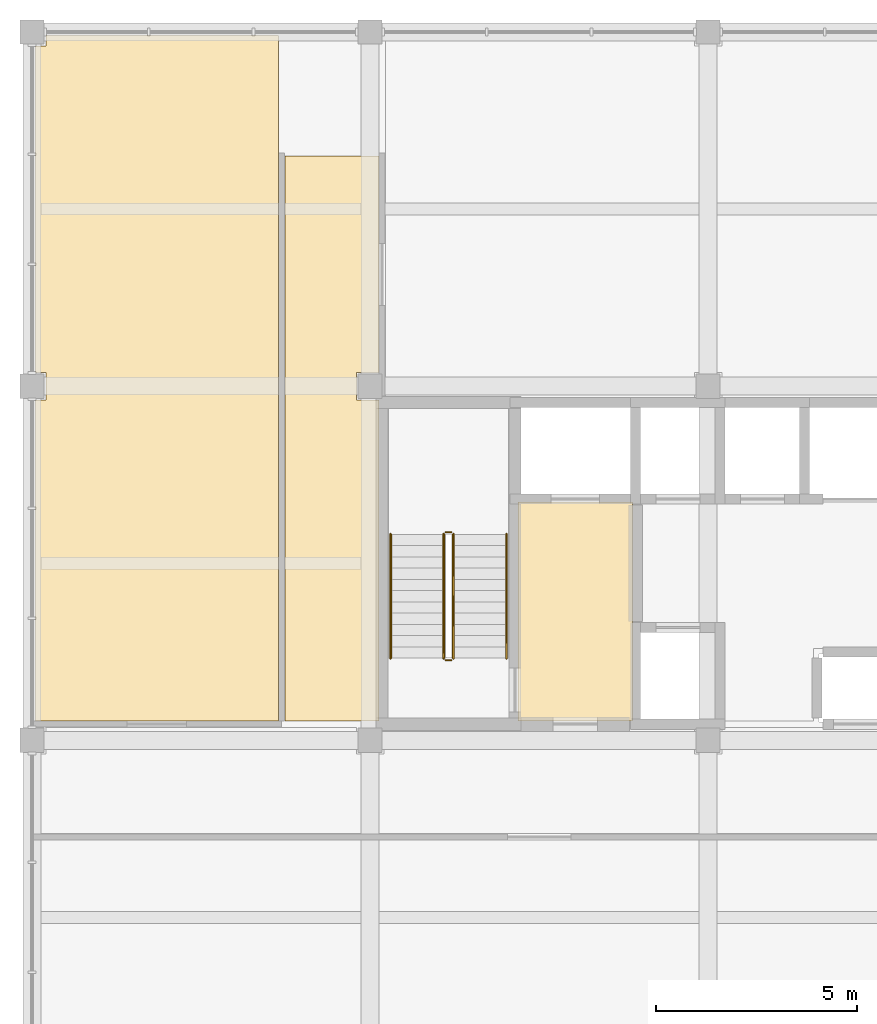
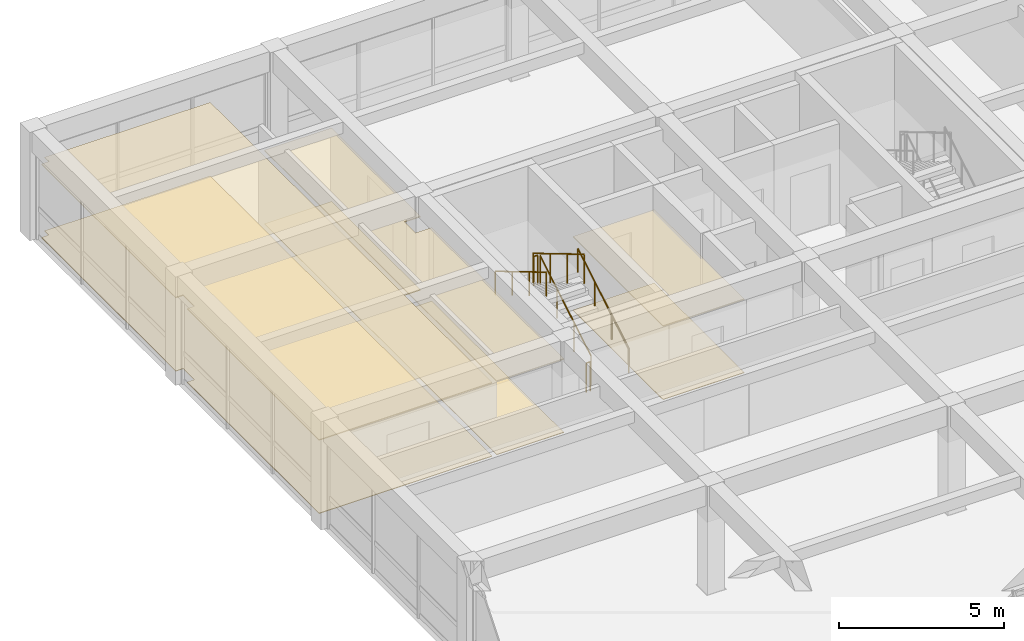
# One storey, part 12 of 14: 6 coverings, 6 railings.
"""IFC4 building model written with IfcOpenShell, lengths in metres."""

from ifc_helpers import new_model, si_unit, direction, frame, origin, origin_2d, place, context, subcontext, project, spatial, polyline, circle, outline, extrude, material, layer, layer_set, type_object, element, save


model = new_model("IFC4")

# Units and contexts
model_context = context("Model", 3, precision=1e-05, world=origin(), true_north=direction((0.0, 1.0)))
body_context = subcontext(model_context, "Body", "Model", "MODEL_VIEW")
ifc_project = project(units=[si_unit("LENGTHUNIT", "METRE"), si_unit("AREAUNIT", "SQUARE_METRE"), si_unit("VOLUMEUNIT", "CUBIC_METRE"), si_unit("PLANEANGLEUNIT", "RADIAN"), si_unit("MASSUNIT", "GRAM", prefix="KILO")], contexts=[model_context])

# Site, building, storey
site_placement = place(None, origin())
site = spatial("IfcSite", under=ifc_project, at=site_placement, CompositionType="ELEMENT")
building_placement = place(site_placement, origin())
building = spatial("IfcBuilding", under=site, at=building_placement, Name="Kemercrest Conservatory and Botanical Centre", CompositionType="ELEMENT")
storey_placement = place(building_placement, frame((0.0, 0.0, 59.800048828125)))
storey = spatial("IfcBuildingStorey", under=building, at=storey_placement, Name="L15", CompositionType="ELEMENT", Elevation=59.800048828125)

# Coverings
ifc_material_1 = material(Name="Perforated acoustic gypsum and mineral-fibre suspended ceiling", Category="gypsum")
ifc_layer_1 = layer(ifc_material_1, 0.034912109375)
ifc_layer_set_1 = layer_set([ifc_layer_1], Name="Perforated acoustic gypsum and mineral-fibre suspended ceiling")
covering_type_1 = type_object("IfcCoveringType", Name="CV-CLG035", PredefinedType="CEILING", material=ifc_layer_set_1)
covering_1_placement = place(storey_placement, frame((0.0, 0.0, 2.699951171875)))
element("IfcCovering", 1, at=covering_1_placement, inside=storey, type_object=covering_type_1, Name="Firefighting Lobby suspended acoustic ceiling", PredefinedType="CEILING", context=body_context, shape_type="SweptSolid", body=[
    extrude(outline(polyline([(154.47998046875, 105.280029296875), (157.320068359375, 105.280029296875), (157.320068359375, 110.719970703125), (154.47998046875, 110.719970703125), (154.47998046875, 105.280029296875)])), origin(), (0.0, 0.0, 1.0), 0.034912109375),
])
covering_2_placement = place(storey_placement, frame((0.0, 0.0, 2.699951171875)))
element("IfcCovering", 2, at=covering_2_placement, inside=storey, type_object=covering_type_1, Name="Botanical Reference Library suspended acoustic ceiling", PredefinedType="CEILING", context=body_context, shape_type="SweptSolid", body=[
    extrude(outline(polyline([(142.47998046875, 105.280029296875), (148.52001953125, 105.280029296875), (148.52001953125, 122.320068359375), (142.739990234375, 122.320068359375), (142.739990234375, 122.06005859375), (142.47998046875, 122.06005859375), (142.47998046875, 113.93994140625), (142.739990234375, 113.93994140625), (142.739990234375, 113.260009765625), (142.47998046875, 113.260009765625), (142.47998046875, 105.280029296875)])), origin(), (0.0, 0.0, 1.0), 0.034912109375),
])
covering_3_placement = place(storey_placement, frame((0.0, 0.0, 2.699951171875)))
element("IfcCovering", 3, at=covering_3_placement, inside=storey, type_object=covering_type_1, Name="North Core Lobby Branch suspended acoustic ceiling", PredefinedType="CEILING", context=body_context, shape_type="SweptSolid", body=[
    extrude(outline(polyline([(148.679931640625, 105.280029296875), (151.02001953125, 105.280029296875), (151.02001953125, 113.260009765625), (150.4599609375, 113.260009765625), (150.4599609375, 113.93994140625), (151.02001953125, 113.93994140625), (151.02001953125, 119.320068359375), (148.679931640625, 119.320068359375), (148.679931640625, 105.280029296875)])), origin(), (0.0, 0.0, 1.0), 0.034912109375),
])
ifc_material_2 = material(Name="Polished limestone terrazzo and seamless laboratory epoxy flooring", Category="masonry")
ifc_layer_2 = layer(ifc_material_2, 0.02001953125)
ifc_layer_set_2 = layer_set([ifc_layer_2], Name="Polished limestone terrazzo and seamless laboratory epoxy flooring")
covering_type_2 = type_object("IfcCoveringType", Name="CV-FLR020", PredefinedType="FLOORING", material=ifc_layer_set_2)
covering_4_placement = place(storey_placement, origin())
element("IfcCovering", 4, at=covering_4_placement, inside=storey, type_object=covering_type_2, Name="Firefighting Lobby floor finish", PredefinedType="FLOORING", context=body_context, shape_type="SweptSolid", body=[
    extrude(outline(polyline([(154.47998046875, 105.280029296875), (157.320068359375, 105.280029296875), (157.320068359375, 110.719970703125), (154.47998046875, 110.719970703125), (154.47998046875, 105.280029296875)])), origin(), (0.0, 0.0, 1.0), 0.02001953125),
])
covering_5_placement = place(storey_placement, origin())
element("IfcCovering", 5, at=covering_5_placement, inside=storey, type_object=covering_type_2, Name="Botanical Reference Library floor finish", PredefinedType="FLOORING", context=body_context, shape_type="SweptSolid", body=[
    extrude(outline(polyline([(142.47998046875, 105.280029296875), (148.52001953125, 105.280029296875), (148.52001953125, 122.320068359375), (142.739990234375, 122.320068359375), (142.739990234375, 122.06005859375), (142.47998046875, 122.06005859375), (142.47998046875, 113.93994140625), (142.739990234375, 113.93994140625), (142.739990234375, 113.260009765625), (142.47998046875, 113.260009765625), (142.47998046875, 105.280029296875)])), origin(), (0.0, 0.0, 1.0), 0.02001953125),
])
covering_6_placement = place(storey_placement, origin())
element("IfcCovering", 6, at=covering_6_placement, inside=storey, type_object=covering_type_2, Name="North Core Lobby Branch floor finish", PredefinedType="FLOORING", context=body_context, shape_type="SweptSolid", body=[
    extrude(outline(polyline([(148.679931640625, 105.280029296875), (151.02001953125, 105.280029296875), (151.02001953125, 113.260009765625), (150.4599609375, 113.260009765625), (150.4599609375, 113.93994140625), (151.02001953125, 113.93994140625), (151.02001953125, 119.320068359375), (148.679931640625, 119.320068359375), (148.679931640625, 105.280029296875)])), origin(), (0.0, 0.0, 1.0), 0.02001953125),
])

# Railings
ifc_material_3 = material(Name="Painted galvanized steel tubular stair guardrail", Category="steel")
railing_type_1 = type_object("IfcRailingType", Name="GR-STR110", PredefinedType="GUARDRAIL", material=ifc_material_3)
railing_1_placement = place(storey_placement, frame((152.8701171875, 106.840087890625, 0.16650390625)))
element("IfcRailing", 7, at=railing_1_placement, inside=storey, type_object=railing_type_1, Name="L15 ST-V4A stair guard 1", PredefinedType="GUARDRAIL", context=body_context, shape_type="SweptSolid", body=[
    extrude(circle(Radius=0.02392578125, at=origin_2d()), frame((0.0, 0.0, 1.076171875), z_axis=(0.0, 0.859260807169, 0.511537745687), x_axis=(-1.0, 0.0, 0.0)), (0.0, 0.0, 1.0), 3.584228515625),
    extrude(circle(Radius=0.02099609375, at=origin_2d()), origin(), (0.0, 0.0, 1.0), 1.052001953125),
    extrude(circle(Radius=0.02099609375, at=origin_2d()), frame((0.0, 1.026611328125, 0.611083984375)), (0.0, 0.0, 1.0), 1.052001953125),
    extrude(circle(Radius=0.02099609375, at=origin_2d()), frame((0.0, 2.05322265625, 1.222412109375)), (0.0, 0.0, 1.0), 1.052001953125),
    extrude(circle(Radius=0.02099609375, at=origin_2d()), frame((0.0, 3.079833984375, 1.83349609375)), (0.0, 0.0, 1.0), 1.052001953125),
])
railing_2_placement = place(storey_placement, frame((152.820068359375, 109.969970703125, 2.0)))
element("IfcRailing", 8, at=railing_2_placement, inside=storey, type_object=railing_type_1, Name="L15 ST-V4A stair guard 2", PredefinedType="GUARDRAIL", context=body_context, shape_type="SweptSolid", body=[
    extrude(circle(Radius=0.02392578125, at=origin_2d()), frame((0.0, 0.0, 1.076171875), z_axis=(-1.0, 0.0, 0.0), x_axis=(0.0, -1.0, 0.0)), (0.0, 0.0, 1.0), 0.14013671875),
    extrude(circle(Radius=0.02099609375, at=origin_2d()), origin(), (0.0, 0.0, 1.0), 1.052001953125),
    extrude(circle(Radius=0.02099609375, at=origin_2d()), frame((-0.14013671875, 0.0, 0.0)), (0.0, 0.0, 1.0), 1.052001953125),
])
railing_3_placement = place(storey_placement, frame((152.6298828125, 109.919921875, 2.16650390625)))
element("IfcRailing", 9, at=railing_3_placement, inside=storey, type_object=railing_type_1, Name="L15 ST-V4A stair guard 3", PredefinedType="GUARDRAIL", context=body_context, shape_type="SweptSolid", body=[
    extrude(circle(Radius=0.02392578125, at=origin_2d()), frame((0.0, 0.0, 1.076171875), z_axis=(0.0, -0.859260807169, 0.511537745687), x_axis=(1.0, 0.0, 0.0)), (0.0, 0.0, 1.0), 3.584228515625),
    extrude(circle(Radius=0.02099609375, at=origin_2d()), origin(), (0.0, 0.0, 1.0), 1.052001953125),
    extrude(circle(Radius=0.02099609375, at=origin_2d()), frame((0.0, -1.026611328125, 0.611083984375)), (0.0, 0.0, 1.0), 1.052001953125),
    extrude(circle(Radius=0.02099609375, at=origin_2d()), frame((0.0, -2.05322265625, 1.222412109375)), (0.0, 0.0, 1.0), 1.052001953125),
    extrude(circle(Radius=0.02099609375, at=origin_2d()), frame((0.0, -3.079833984375, 1.83349609375)), (0.0, 0.0, 1.0), 1.052001953125),
])
railing_4_placement = place(storey_placement, frame((152.820068359375, 106.7900390625, 0.0)))
element("IfcRailing", 10, at=railing_4_placement, inside=storey, type_object=railing_type_1, Name="L15 ST-V4A stair guard 4", PredefinedType="GUARDRAIL", context=body_context, shape_type="SweptSolid", body=[
    extrude(circle(Radius=0.02392578125, at=origin_2d()), frame((0.0, 0.0, 1.076171875), z_axis=(-1.0, 0.0, 0.0), x_axis=(0.0, -1.0, 0.0)), (0.0, 0.0, 1.0), 0.14013671875),
    extrude(circle(Radius=0.02099609375, at=origin_2d()), origin(), (0.0, 0.0, 1.0), 1.052001953125),
    extrude(circle(Radius=0.02099609375, at=origin_2d()), frame((-0.14013671875, 0.0, 0.0)), (0.0, 0.0, 1.0), 1.052001953125),
])
ifc_material_4 = material(Name="Brushed stainless steel wall-mounted handrail", Category="steel")
railing_type_2 = type_object("IfcRailingType", Name="HR-STR090", PredefinedType="HANDRAIL", material=ifc_material_4)
railing_5_placement = place(storey_placement, frame((154.18994140625, 106.840087890625, 0.16650390625)))
element("IfcRailing", 11, at=railing_5_placement, inside=storey, type_object=railing_type_2, Name="L15 ST-V4A stair handrail 1", PredefinedType="HANDRAIL", context=body_context, shape_type="SweptSolid", body=[
    extrude(circle(Radius=0.02392578125, at=origin_2d()), frame((0.0, 0.0, 0.8759765625), z_axis=(0.0, 0.859260807169, 0.511537745687), x_axis=(-1.0, 0.0, 0.0)), (0.0, 0.0, 1.0), 3.584228515625),
    extrude(circle(Radius=0.02099609375, at=origin_2d()), origin(), (0.0, 0.0, 1.0), 0.851806640625),
    extrude(circle(Radius=0.02099609375, at=origin_2d()), frame((0.0, 1.026611328125, 0.611083984375)), (0.0, 0.0, 1.0), 0.851806640625),
    extrude(circle(Radius=0.02099609375, at=origin_2d()), frame((0.0, 2.05322265625, 1.222412109375)), (0.0, 0.0, 1.0), 0.851806640625),
    extrude(circle(Radius=0.02099609375, at=origin_2d()), frame((0.0, 3.079833984375, 1.83349609375)), (0.0, 0.0, 1.0), 0.851806640625),
])
railing_6_placement = place(storey_placement, frame((151.31005859375, 109.919921875, 2.16650390625)))
element("IfcRailing", 12, at=railing_6_placement, inside=storey, type_object=railing_type_2, Name="L15 ST-V4A stair handrail 2", PredefinedType="HANDRAIL", context=body_context, shape_type="SweptSolid", body=[
    extrude(circle(Radius=0.02392578125, at=origin_2d()), frame((0.0, 0.0, 0.8759765625), z_axis=(0.0, -0.859260807169, 0.511537745687), x_axis=(1.0, 0.0, 0.0)), (0.0, 0.0, 1.0), 3.584228515625),
    extrude(circle(Radius=0.02099609375, at=origin_2d()), origin(), (0.0, 0.0, 1.0), 0.851806640625),
    extrude(circle(Radius=0.02099609375, at=origin_2d()), frame((0.0, -1.026611328125, 0.611083984375)), (0.0, 0.0, 1.0), 0.851806640625),
    extrude(circle(Radius=0.02099609375, at=origin_2d()), frame((0.0, -2.05322265625, 1.222412109375)), (0.0, 0.0, 1.0), 0.851806640625),
    extrude(circle(Radius=0.02099609375, at=origin_2d()), frame((0.0, -3.079833984375, 1.83349609375)), (0.0, 0.0, 1.0), 0.851806640625),
])

save(model, "model.ifc")
